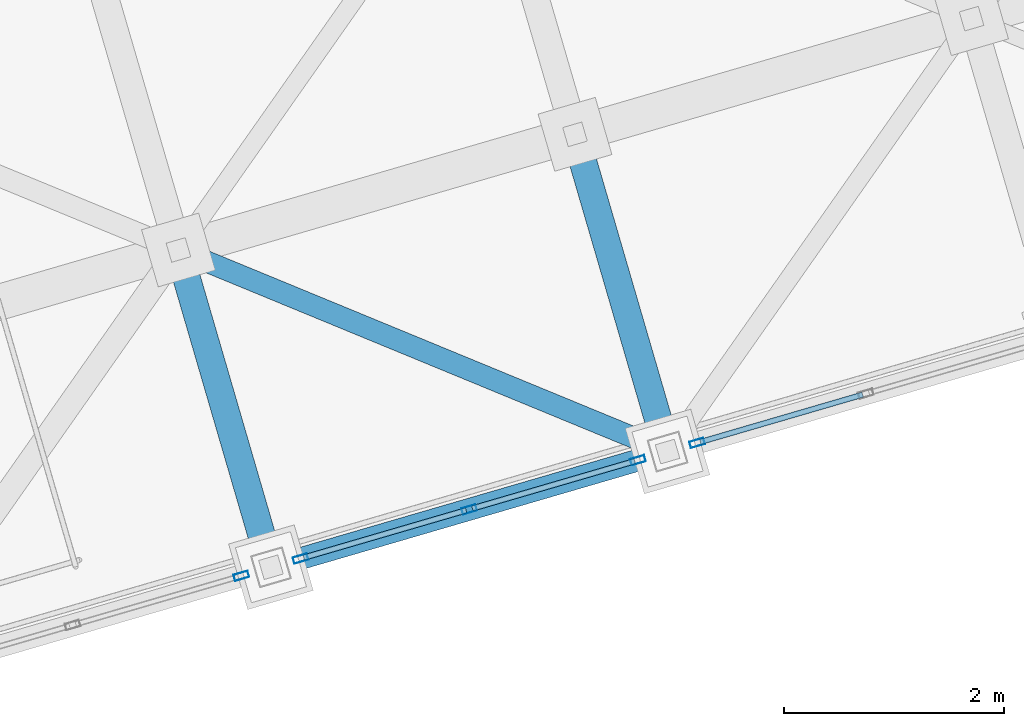
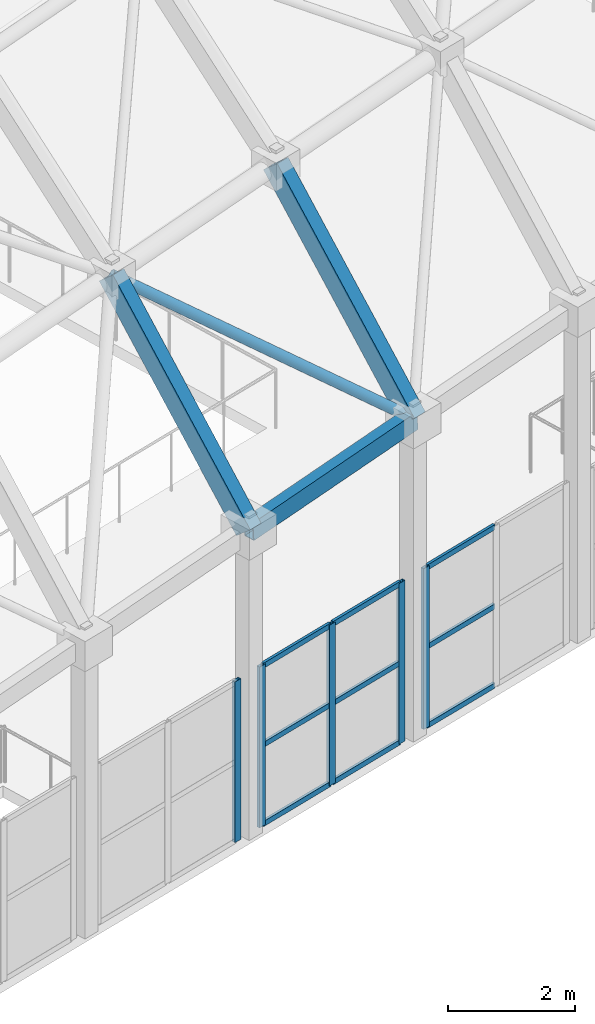
# One storey, part 64 of 248: 15 members, 3 beams, 3 elements without a shape of their own.
"""IFC4 building model written with IfcOpenShell, lengths in metres."""

from ifc_helpers import new_model, si_unit, direction, frame, origin, origin_2d, place, context, subcontext, project, spatial, hollow_rectangle, hollow_circle, extrude, material, layer, layer_set, material_profile, profile_set, type_object, element, aggregate, save


model = new_model("IFC4")

# Units and contexts
model_context = context("Model", 3, precision=1e-05, world=origin(), true_north=direction((0.0, 1.0)))
body_context = subcontext(model_context, "Body", "Model", "MODEL_VIEW")
ifc_project = project(units=[si_unit("LENGTHUNIT", "METRE"), si_unit("AREAUNIT", "SQUARE_METRE"), si_unit("VOLUMEUNIT", "CUBIC_METRE"), si_unit("PLANEANGLEUNIT", "RADIAN"), si_unit("MASSUNIT", "GRAM", prefix="KILO")], contexts=[model_context])

# Site, building, storey
site_placement = place(None, origin())
site = spatial("IfcSite", under=ifc_project, at=site_placement, CompositionType="ELEMENT")
building_placement = place(site_placement, origin())
building = spatial("IfcBuilding", under=site, at=building_placement, Name="Canggui Botanical Conservatory", CompositionType="ELEMENT")
storey_placement = place(building_placement, frame((0.0, 0.0, 5.39990234375)))
storey = spatial("IfcBuildingStorey", under=building, at=storey_placement, Name="L02", CompositionType="ELEMENT", Elevation=5.39990234375)

# Beams
ifc_material_1 = material(Name="Steel Q355C", Category="steel")
ifc_material_profile_1 = material_profile(ifc_material_1, hollow_rectangle(XDim=0.25, YDim=0.39990234375, WallThickness=0.013916015625, at=origin_2d()), Name="RHS 250x400x14")
ifc_profile_set_1 = profile_set([ifc_material_profile_1], Name="Steel Q355C")
beam_type_1 = type_object("IfcBeamType", Name="BM-GJ03", PredefinedType="BEAM", material=ifc_profile_set_1)
beam_1_placement = place(storey_placement, frame((52.39990234375, 51.449951171875, 5.85009765625), z_axis=(-0.183510350266, 0.62932314014, 0.755166429755), x_axis=(-0.960017315421, -0.279940626011, 0.0)))
element("IfcBeam", 1, at=beam_1_placement, inside=storey, type_object=beam_type_1, Name="Conservatory Stepped-Arch Rib GJ-10 Segment 1", PredefinedType="BEAM", context=body_context, shape_type="SweptSolid", body=[
    extrude(hollow_rectangle(XDim=0.25, YDim=0.39990234375, WallThickness=0.013916015625, at=origin_2d()), origin(), (0.0, 0.0, 1.0), 4.57666015625),
])
beam_2_placement = place(storey_placement, frame((56.0, 52.5, 6.10009765625), z_axis=(-0.183568061506, 0.629284758361, 0.755184387874), x_axis=(-0.959989061447, -0.280037500885, 0.0)))
element("IfcBeam", 2, at=beam_2_placement, inside=storey, type_object=beam_type_1, Name="Conservatory Stepped-Arch Rib GJ-11 Segment 1", PredefinedType="BEAM", context=body_context, shape_type="SweptSolid", body=[
    extrude(hollow_rectangle(XDim=0.25, YDim=0.39990234375, WallThickness=0.013916015625, at=origin_2d()), origin(), (0.0, 0.0, 1.0), 4.576416015625),
])
ifc_material_profile_2 = material_profile(ifc_material_1, hollow_rectangle(XDim=0.199951171875, YDim=0.35009765625, WallThickness=0.011962890625, at=origin_2d()), Name="RHS 200x350x12")
ifc_profile_set_2 = profile_set([ifc_material_profile_2], Name="Steel Q355C")
beam_type_2 = type_object("IfcBeamType", Name="BM-RING01", PredefinedType="BEAM", material=ifc_profile_set_2)
beam_3_placement = place(storey_placement, frame((52.39990234375, 51.449951171875, 5.85009765625), z_axis=(0.957872417874, 0.27938486839, 0.066517113516), x_axis=(-0.280004999853, 0.959998541695, 0.0)))
element("IfcBeam", 3, at=beam_3_placement, inside=storey, type_object=beam_type_2, Name="Conservatory Perimeter Ring Beam V0-10", PredefinedType="BEAM", context=body_context, shape_type="SweptSolid", body=[
    extrude(hollow_rectangle(XDim=0.199951171875, YDim=0.35009765625, WallThickness=0.011962890625, at=origin_2d()), origin(), (0.0, 0.0, 1.0), 3.758544921875),
])

# Curtain wall, member
ifc_material_2 = material(Name="Thermally Broken Aluminium", Category="aluminium")
ifc_layer = layer(ifc_material_2, 0.135009765625, Name="Thermally Broken Aluminium", Category="aluminium")
ifc_layer_set = layer_set([ifc_layer], Name="Thermally Broken Aluminium")
curtain_wall_type = type_object("IfcCurtainWallType", Name="CW-STICK-A", PredefinedType="USERDEFINED", material=ifc_layer_set)
curtain_wall_1_placement = place(storey_placement, origin())
curtain_wall_1 = element("IfcCurtainWall", 4, at=curtain_wall_1_placement, inside=storey, type_object=curtain_wall_type, Name="Facade Curtain Wall CW-CONS-L02-V0-09", ObjectType="STICK GLAZED WALL", PredefinedType="USERDEFINED")
ifc_material_profile_3 = material_profile(ifc_material_2, hollow_rectangle(XDim=0.06005859375, YDim=0.135009765625, WallThickness=0.00341796875, at=origin_2d()), Name="CWM 60x135x3.5")
ifc_profile_set_3 = profile_set([ifc_material_profile_3], Name="Thermally Broken Aluminium")
member_type_1 = type_object("IfcMemberType", Name="CWM-04", PredefinedType="MULLION", material=ifc_profile_set_3)
member_1_placement = place(storey_placement, frame((52.131103515625, 51.37158203125, 0.0), z_axis=(0.0, 0.0, 1.0), x_axis=(0.279999999995, -0.960000000002, 0.0)))
member_1 = element("IfcMember", 5, at=member_1_placement, type_object=member_type_1, Name="CW-04 mullion 1", PredefinedType="MULLION", context=body_context, shape_type="SweptSolid", body=[
    extrude(hollow_rectangle(XDim=0.06005859375, YDim=0.135009765625, WallThickness=0.00341796875, at=origin_2d()), origin(), (0.0, 0.0, 1.0), 3.10009765625),
])
aggregate(curtain_wall_1, [member_1])

# Curtain wall, members
curtain_wall_2_placement = place(storey_placement, origin())
curtain_wall_2 = element("IfcCurtainWall", 6, at=curtain_wall_2_placement, inside=storey, type_object=curtain_wall_type, Name="Facade Curtain Wall CW-CONS-L02-V0-10", ObjectType="STICK GLAZED WALL", PredefinedType="USERDEFINED")
member_2_placement = place(storey_placement, frame((55.731201171875, 52.421630859375, 0.0), z_axis=(0.0, 0.0, 1.0), x_axis=(0.279999999995, -0.960000000002, 0.0)))
member_2 = element("IfcMember", 7, at=member_2_placement, type_object=member_type_1, Name="CW-04 mullion 1", PredefinedType="MULLION", context=body_context, shape_type="SweptSolid", body=[
    extrude(hollow_rectangle(XDim=0.06005859375, YDim=0.135009765625, WallThickness=0.00341796875, at=origin_2d()), origin(), (0.0, 0.0, 1.0), 3.10009765625),
])
member_3_placement = place(storey_placement, frame((54.199951171875, 51.97509765625, 0.0), z_axis=(0.0, 0.0, 1.0), x_axis=(0.279999999995, -0.960000000002, 0.0)))
member_3 = element("IfcMember", 8, at=member_3_placement, type_object=member_type_1, Name="CW-04 mullion 2", PredefinedType="MULLION", context=body_context, shape_type="SweptSolid", body=[
    extrude(hollow_rectangle(XDim=0.06005859375, YDim=0.135009765625, WallThickness=0.00341796875, at=origin_2d()), origin(), (0.0, 0.0, 1.0), 3.10009765625),
])
member_4_placement = place(storey_placement, frame((52.668701171875, 51.5283203125, 0.0), z_axis=(0.0, 0.0, 1.0), x_axis=(0.279999999995, -0.960000000002, 0.0)))
member_4 = element("IfcMember", 9, at=member_4_placement, type_object=member_type_1, Name="CW-04 mullion 3", PredefinedType="MULLION", context=body_context, shape_type="SweptSolid", body=[
    extrude(hollow_rectangle(XDim=0.06005859375, YDim=0.135009765625, WallThickness=0.00341796875, at=origin_2d()), origin(), (0.0, 0.0, 1.0), 3.10009765625),
])

# Curtain wall, member
curtain_wall_3_placement = place(storey_placement, origin())
curtain_wall_3 = element("IfcCurtainWall", 10, at=curtain_wall_3_placement, inside=storey, type_object=curtain_wall_type, Name="Facade Curtain Wall CW-CONS-L02-V0-11", ObjectType="STICK GLAZED WALL", PredefinedType="USERDEFINED")
member_5_placement = place(storey_placement, frame((56.268798828125, 52.578369140625, 0.0), z_axis=(0.0, 0.0, 1.0), x_axis=(0.279999999995, -0.960000000002, 0.0)))
member_5 = element("IfcMember", 11, at=member_5_placement, type_object=member_type_1, Name="CW-04 mullion 3", PredefinedType="MULLION", context=body_context, shape_type="SweptSolid", body=[
    extrude(hollow_rectangle(XDim=0.06005859375, YDim=0.135009765625, WallThickness=0.00341796875, at=origin_2d()), origin(), (0.0, 0.0, 1.0), 3.10009765625),
])

# Member
ifc_material_profile_4 = material_profile(ifc_material_2, hollow_rectangle(XDim=0.050048828125, YDim=0.10009765625, WallThickness=0.0029296875, at=origin_2d()), Name="CWT 50x100x3")
ifc_profile_set_4 = profile_set([ifc_material_profile_4], Name="Thermally Broken Aluminium")
member_type_2 = type_object("IfcMemberType", Name="CWT-04", PredefinedType="USERDEFINED", material=ifc_profile_set_4)
member_6_placement = place(storey_placement, frame((55.702392578125, 52.4130859375, 0.025146484375), z_axis=(-0.960021373424, -0.279926709282, 0.0), x_axis=(0.279926709282, -0.960021373424, 0.0)))
member_6 = element("IfcMember", 12, at=member_6_placement, type_object=member_type_2, Name="CW-04 transom 1.1", ObjectType="TRANSOM", PredefinedType="USERDEFINED", context=body_context, shape_type="SweptSolid", body=[
    extrude(hollow_rectangle(XDim=0.050048828125, YDim=0.10009765625, WallThickness=0.0029296875, at=origin_2d()), origin(), (0.0, 0.0, 1.0), 1.534912109375),
])

member_7_placement = place(storey_placement, frame((55.702392578125, 52.4130859375, 1.550048828125), z_axis=(-0.960021373424, -0.279926709282, 0.0), x_axis=(0.279926709282, -0.960021373424, 0.0)))
member_7 = element("IfcMember", 13, at=member_7_placement, type_object=member_type_2, Name="CW-04 transom 1.2", ObjectType="TRANSOM", PredefinedType="USERDEFINED", context=body_context, shape_type="SweptSolid", body=[
    extrude(hollow_rectangle(XDim=0.050048828125, YDim=0.10009765625, WallThickness=0.0029296875, at=origin_2d()), origin(), (0.0, 0.0, 1.0), 1.534912109375),
])

member_8_placement = place(storey_placement, frame((55.702392578125, 52.4130859375, 3.0751953125), z_axis=(-0.960021373424, -0.279926709282, 0.0), x_axis=(0.279926709282, -0.960021373424, 0.0)))
member_8 = element("IfcMember", 14, at=member_8_placement, type_object=member_type_2, Name="CW-04 transom 1.3", ObjectType="TRANSOM", PredefinedType="USERDEFINED", context=body_context, shape_type="SweptSolid", body=[
    extrude(hollow_rectangle(XDim=0.050048828125, YDim=0.10009765625, WallThickness=0.0029296875, at=origin_2d()), origin(), (0.0, 0.0, 1.0), 1.534912109375),
])

member_9_placement = place(storey_placement, frame((54.171142578125, 51.966552734375, 0.025146484375), z_axis=(-0.960021373424, -0.279926709282, 0.0), x_axis=(0.279926709282, -0.960021373424, 0.0)))
member_9 = element("IfcMember", 15, at=member_9_placement, type_object=member_type_2, Name="CW-04 transom 2.1", ObjectType="TRANSOM", PredefinedType="USERDEFINED", context=body_context, shape_type="SweptSolid", body=[
    extrude(hollow_rectangle(XDim=0.050048828125, YDim=0.10009765625, WallThickness=0.0029296875, at=origin_2d()), origin(), (0.0, 0.0, 1.0), 1.534912109375),
])

member_10_placement = place(storey_placement, frame((54.171142578125, 51.966552734375, 1.550048828125), z_axis=(-0.960021373424, -0.279926709282, 0.0), x_axis=(0.279926709282, -0.960021373424, 0.0)))
member_10 = element("IfcMember", 16, at=member_10_placement, type_object=member_type_2, Name="CW-04 transom 2.2", ObjectType="TRANSOM", PredefinedType="USERDEFINED", context=body_context, shape_type="SweptSolid", body=[
    extrude(hollow_rectangle(XDim=0.050048828125, YDim=0.10009765625, WallThickness=0.0029296875, at=origin_2d()), origin(), (0.0, 0.0, 1.0), 1.534912109375),
])

member_11_placement = place(storey_placement, frame((54.171142578125, 51.966552734375, 3.0751953125), z_axis=(-0.960021373424, -0.279926709282, 0.0), x_axis=(0.279926709282, -0.960021373424, 0.0)))
member_11 = element("IfcMember", 17, at=member_11_placement, type_object=member_type_2, Name="CW-04 transom 2.3", ObjectType="TRANSOM", PredefinedType="USERDEFINED", context=body_context, shape_type="SweptSolid", body=[
    extrude(hollow_rectangle(XDim=0.050048828125, YDim=0.10009765625, WallThickness=0.0029296875, at=origin_2d()), origin(), (0.0, 0.0, 1.0), 1.534912109375),
])

aggregate(curtain_wall_2, [member_2, member_3, member_4, member_6, member_7, member_8, member_9, member_10, member_11])

member_12_placement = place(storey_placement, frame((57.771240234375, 53.0166015625, 0.025146484375), z_axis=(-0.960021373424, -0.279926709282, 0.0), x_axis=(0.279926709282, -0.960021373424, 0.0)))
member_12 = element("IfcMember", 18, at=member_12_placement, type_object=member_type_2, Name="CW-04 transom 2.1", ObjectType="TRANSOM", PredefinedType="USERDEFINED", context=body_context, shape_type="SweptSolid", body=[
    extrude(hollow_rectangle(XDim=0.050048828125, YDim=0.10009765625, WallThickness=0.0029296875, at=origin_2d()), origin(), (0.0, 0.0, 1.0), 1.534912109375),
])

member_13_placement = place(storey_placement, frame((57.771240234375, 53.0166015625, 1.550048828125), z_axis=(-0.960021373424, -0.279926709282, 0.0), x_axis=(0.279926709282, -0.960021373424, 0.0)))
member_13 = element("IfcMember", 19, at=member_13_placement, type_object=member_type_2, Name="CW-04 transom 2.2", ObjectType="TRANSOM", PredefinedType="USERDEFINED", context=body_context, shape_type="SweptSolid", body=[
    extrude(hollow_rectangle(XDim=0.050048828125, YDim=0.10009765625, WallThickness=0.0029296875, at=origin_2d()), origin(), (0.0, 0.0, 1.0), 1.534912109375),
])

member_14_placement = place(storey_placement, frame((57.771240234375, 53.0166015625, 3.0751953125), z_axis=(-0.960021373424, -0.279926709282, 0.0), x_axis=(0.279926709282, -0.960021373424, 0.0)))
member_14 = element("IfcMember", 20, at=member_14_placement, type_object=member_type_2, Name="CW-04 transom 2.3", ObjectType="TRANSOM", PredefinedType="USERDEFINED", context=body_context, shape_type="SweptSolid", body=[
    extrude(hollow_rectangle(XDim=0.050048828125, YDim=0.10009765625, WallThickness=0.0029296875, at=origin_2d()), origin(), (0.0, 0.0, 1.0), 1.534912109375),
])

aggregate(curtain_wall_3, [member_5, member_12, member_13, member_14])

ifc_material_profile_5 = material_profile(ifc_material_1, hollow_circle(Radius=0.096923828125, WallThickness=0.008056640625, at=origin_2d()), Name="CHS 194x8")
ifc_profile_set_5 = profile_set([ifc_material_profile_5], Name="Steel Q355C")
member_type_3 = type_object("IfcMemberType", Name="MEM-GSD02", PredefinedType="RAFTER", material=ifc_profile_set_5)
member_15_placement = place(storey_placement, frame((51.56005859375, 54.330078125, 9.30615234375), z_axis=(0.768931384715, -0.316942134599, -0.555240676569), x_axis=(0.381082183428, 0.924541166998, 0.0)))
element("IfcMember", 21, at=member_15_placement, inside=storey, type_object=member_type_3, Name="Conservatory Gridshell Diagrid Rafter 10-1", PredefinedType="RAFTER", context=body_context, shape_type="SweptSolid", body=[
    extrude(hollow_circle(Radius=0.096923828125, WallThickness=0.008056640625, at=origin_2d()), origin(), (0.0, 0.0, 1.0), 5.774169921875),
])

save(model, "model.ifc")
